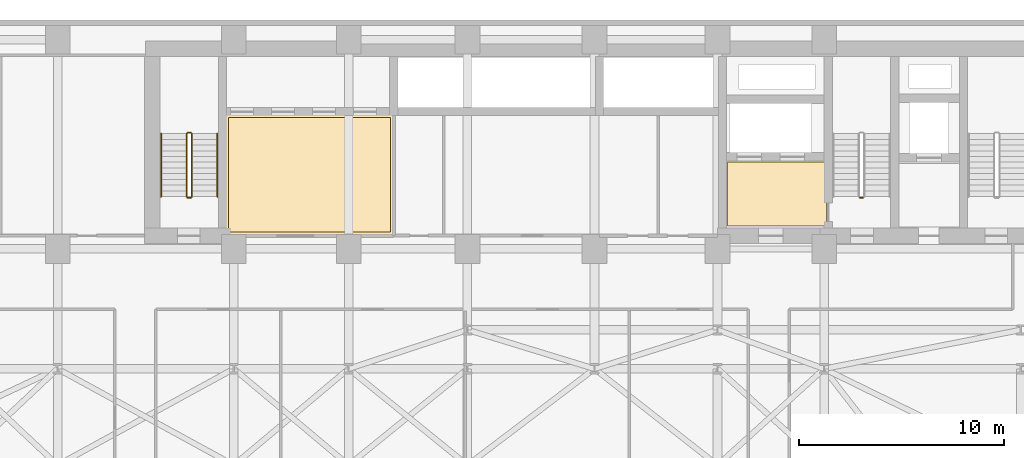
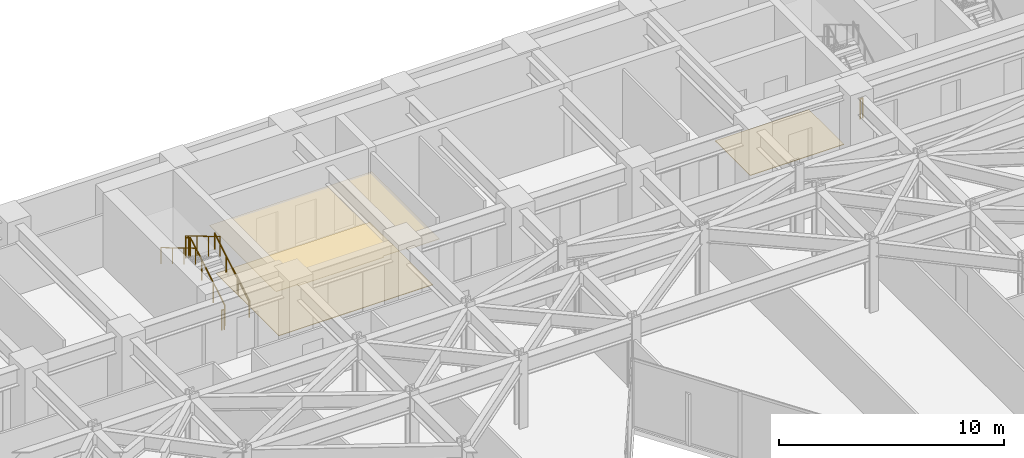
# One storey, part 24 of 25: 7 railings, 3 coverings.
"""IFC4 building model written with IfcOpenShell, lengths in metres."""

from ifc_helpers import new_model, si_unit, direction, frame, origin, origin_2d, place, context, subcontext, project, spatial, polyline, circle, outline, extrude, material, layer, layer_set, type_object, element, save


model = new_model("IFC4")

# Units and contexts
model_context = context("Model", 3, precision=1e-05, world=origin(), true_north=direction((0.0, 1.0)))
body_context = subcontext(model_context, "Body", "Model", "MODEL_VIEW")
ifc_project = project(units=[si_unit("LENGTHUNIT", "METRE"), si_unit("AREAUNIT", "SQUARE_METRE"), si_unit("VOLUMEUNIT", "CUBIC_METRE"), si_unit("PLANEANGLEUNIT", "RADIAN"), si_unit("MASSUNIT", "GRAM", prefix="KILO")], contexts=[model_context])

# Site, building, storey
site_placement = place(None, origin())
site = spatial("IfcSite", under=ifc_project, at=site_placement, CompositionType="ELEMENT")
building_placement = place(site_placement, origin())
building = spatial("IfcBuilding", under=site, at=building_placement, Name="Kravanh Interchange Tower", CompositionType="ELEMENT")
storey_placement = place(building_placement, frame((0.0, 0.0, 73.5)))
storey = spatial("IfcBuildingStorey", under=building, at=storey_placement, Name="L17", CompositionType="ELEMENT", Elevation=73.5)

# Coverings
ifc_material_1 = material(Name="Cementitious Terrazzo Tile")
ifc_layer_1 = layer(ifc_material_1, 0.030029296875)
ifc_layer_set_1 = layer_set([ifc_layer_1], Name="Honed Terrazzo Lobby Flooring 30mm")
covering_type_1 = type_object("IfcCoveringType", Name="Honed Terrazzo Lobby Flooring 30mm", PredefinedType="FLOORING", material=ifc_layer_set_1)
covering_1_placement = place(storey_placement, origin())
element("IfcCovering", 1, at=covering_1_placement, inside=storey, type_object=covering_type_1, Name="L17 Firefighting Lobby Floor Finish", PredefinedType="FLOORING", context=body_context, shape_type="SweptSolid", body=[
    extrude(outline(polyline([(56.1201171875, 38.4599609375), (51.300048828125, 38.4599609375), (51.300048828125, 41.580078125), (56.1201171875, 41.580078125), (56.1201171875, 38.4599609375)])), origin(), (0.0, 0.0, 1.0), 0.030029296875),
])
covering_2_placement = place(storey_placement, origin())
element("IfcCovering", 2, at=covering_2_placement, inside=storey, type_object=covering_type_1, Name="L17 Low-Rise Lift Lobby Floor Finish", PredefinedType="FLOORING", context=body_context, shape_type="SweptSolid", body=[
    extrude(outline(polyline([(26.929931640625, 43.77001953125), (34.840087890625, 43.77001953125), (34.840087890625, 38.179931640625), (26.929931640625, 38.179931640625), (26.929931640625, 43.77001953125)])), origin(), (0.0, 0.0, 1.0), 0.030029296875),
])
ifc_material_2 = material(Name="Acoustic Mineral Fibre Tile on Aluminium Grid", Category="aluminium")
ifc_layer_2 = layer(ifc_material_2, 0.02490234375)
ifc_layer_set_2 = layer_set([ifc_layer_2], Name="Perforated Acoustic Mineral Ceiling 25mm")
covering_type_2 = type_object("IfcCoveringType", Name="Perforated Acoustic Mineral Ceiling 25mm", PredefinedType="CEILING", material=ifc_layer_set_2)
covering_3_placement = place(storey_placement, frame((0.0, 0.0, 2.550048828125)))
element("IfcCovering", 3, at=covering_3_placement, inside=storey, type_object=covering_type_2, Name="L17 Low-Rise Lift Lobby Suspended Ceiling", PredefinedType="CEILING", context=body_context, shape_type="SweptSolid", body=[
    extrude(outline(polyline([(35.06005859375, 37.9599609375), (33.39990234375, 37.9599609375), (33.39990234375, 38.050048828125), (32.199951171875, 38.050048828125), (32.199951171875, 37.9599609375), (27.800048828125, 37.9599609375), (27.800048828125, 38.050048828125), (26.7099609375, 38.050048828125), (26.7099609375, 43.989990234375), (35.06005859375, 43.989990234375), (35.06005859375, 37.9599609375)])), origin(), (0.0, 0.0, 1.0), 0.02490234375),
])

# Railings
ifc_material_3 = material(Name="Structural Steel S355", Category="steel")
ifc_layer_3 = layer(ifc_material_3, 0.050048828125)
ifc_layer_set_3 = layer_set([ifc_layer_3], Name="Stair Well Guardrail Structural Steel S355 1100mm")
railing_type_1 = type_object("IfcRailingType", Name="Stair Well Guardrail Structural Steel S355 1100mm", PredefinedType="GUARDRAIL", material=ifc_layer_set_3)
railing_1_placement = place(storey_placement, frame((57.89990234375, 39.85009765625, 0.0)))
element("IfcRailing", 4, at=railing_1_placement, inside=storey, type_object=railing_type_1, Name="L17 ST2 stair guard 4", PredefinedType="GUARDRAIL", context=body_context, shape_type="SweptSolid", body=[
    extrude(circle(Radius=0.02392578125, at=origin_2d()), frame((0.0, 0.0, 1.076171875), z_axis=(-1.0, 0.0, 0.0), x_axis=(0.0, -1.0, 0.0)), (0.0, 0.0, 1.0), 0.14990234375),
    extrude(circle(Radius=0.02099609375, at=origin_2d()), origin(), (0.0, 0.0, 1.0), 1.052001953125),
    extrude(circle(Radius=0.02099609375, at=origin_2d()), frame((-0.14990234375, 0.0, 0.0)), (0.0, 0.0, 1.0), 1.052001953125),
])
railing_2_placement = place(storey_placement, frame((25.14990234375, 39.89990234375, 0.166748046875)))
element("IfcRailing", 5, at=railing_2_placement, inside=storey, type_object=railing_type_1, Name="L17 ST3 stair guard 1", PredefinedType="GUARDRAIL", context=body_context, shape_type="SweptSolid", body=[
    extrude(circle(Radius=0.02392578125, at=origin_2d()), frame((0.0, 0.0, 1.076171875), z_axis=(0.0, 0.859308565015, 0.511457515432), x_axis=(-1.0, 0.0, 0.0)), (0.0, 0.0, 1.0), 3.58447265625),
    extrude(circle(Radius=0.02099609375, at=origin_2d()), origin(), (0.0, 0.0, 1.0), 1.052001953125),
    extrude(circle(Radius=0.02099609375, at=origin_2d()), frame((0.0, 1.026611328125, 0.611083984375)), (0.0, 0.0, 1.0), 1.052001953125),
    extrude(circle(Radius=0.02099609375, at=origin_2d()), frame((0.0, 2.053466796875, 1.22216796875)), (0.0, 0.0, 1.0), 1.052001953125),
    extrude(circle(Radius=0.02099609375, at=origin_2d()), frame((0.0, 3.080078125, 1.833251953125)), (0.0, 0.0, 1.0), 1.052001953125),
])
railing_3_placement = place(storey_placement, frame((25.10009765625, 43.030029296875, 2.0)))
element("IfcRailing", 6, at=railing_3_placement, inside=storey, type_object=railing_type_1, Name="L17 ST3 stair guard 2", PredefinedType="GUARDRAIL", context=body_context, shape_type="SweptSolid", body=[
    extrude(circle(Radius=0.02392578125, at=origin_2d()), frame((0.0, 0.0, 1.076171875), z_axis=(-1.0, 0.0, 0.0), x_axis=(0.0, -1.0, 0.0)), (0.0, 0.0, 1.0), 0.150146484375),
    extrude(circle(Radius=0.02099609375, at=origin_2d()), origin(), (0.0, 0.0, 1.0), 1.052001953125),
    extrude(circle(Radius=0.02099609375, at=origin_2d()), frame((-0.150146484375, 0.0, 0.0)), (0.0, 0.0, 1.0), 1.052001953125),
])
railing_4_placement = place(storey_placement, frame((24.89990234375, 42.97998046875, 2.166748046875)))
element("IfcRailing", 7, at=railing_4_placement, inside=storey, type_object=railing_type_1, Name="L17 ST3 stair guard 3", PredefinedType="GUARDRAIL", context=body_context, shape_type="SweptSolid", body=[
    extrude(circle(Radius=0.02392578125, at=origin_2d()), frame((0.0, 0.0, 1.076171875), z_axis=(0.0, -0.859308565015, 0.511457515432), x_axis=(1.0, 0.0, 0.0)), (0.0, 0.0, 1.0), 3.58447265625),
    extrude(circle(Radius=0.02099609375, at=origin_2d()), origin(), (0.0, 0.0, 1.0), 1.052001953125),
    extrude(circle(Radius=0.02099609375, at=origin_2d()), frame((0.0, -1.026611328125, 0.611083984375)), (0.0, 0.0, 1.0), 1.052001953125),
    extrude(circle(Radius=0.02099609375, at=origin_2d()), frame((0.0, -2.053466796875, 1.22216796875)), (0.0, 0.0, 1.0), 1.052001953125),
    extrude(circle(Radius=0.02099609375, at=origin_2d()), frame((0.0, -3.080078125, 1.833251953125)), (0.0, 0.0, 1.0), 1.052001953125),
])
railing_5_placement = place(storey_placement, frame((25.10009765625, 39.85009765625, 0.0)))
element("IfcRailing", 8, at=railing_5_placement, inside=storey, type_object=railing_type_1, Name="L17 ST3 stair guard 4", PredefinedType="GUARDRAIL", context=body_context, shape_type="SweptSolid", body=[
    extrude(circle(Radius=0.02392578125, at=origin_2d()), frame((0.0, 0.0, 1.076171875), z_axis=(-1.0, 0.0, 0.0), x_axis=(0.0, -1.0, 0.0)), (0.0, 0.0, 1.0), 0.150146484375),
    extrude(circle(Radius=0.02099609375, at=origin_2d()), origin(), (0.0, 0.0, 1.0), 1.052001953125),
    extrude(circle(Radius=0.02099609375, at=origin_2d()), frame((-0.150146484375, 0.0, 0.0)), (0.0, 0.0, 1.0), 1.052001953125),
])
ifc_material_4 = material(Name="Stainless Steel 304", Category="steel")
ifc_layer_4 = layer(ifc_material_4, 0.044921875)
ifc_layer_set_4 = layer_set([ifc_layer_4], Name="Tubular Stair Handrail Stainless 304 900mm")
railing_type_2 = type_object("IfcRailingType", Name="Tubular Stair Handrail Stainless 304 900mm", PredefinedType="HANDRAIL", material=ifc_layer_set_4)
railing_6_placement = place(storey_placement, frame((26.39990234375, 39.89990234375, 0.166748046875)))
element("IfcRailing", 9, at=railing_6_placement, inside=storey, type_object=railing_type_2, Name="L17 ST3 stair handrail 1", PredefinedType="HANDRAIL", context=body_context, shape_type="SweptSolid", body=[
    extrude(circle(Radius=0.02392578125, at=origin_2d()), frame((0.0, 0.0, 0.8759765625), z_axis=(0.0, 0.859308565015, 0.511457515432), x_axis=(-1.0, 0.0, 0.0)), (0.0, 0.0, 1.0), 3.58447265625),
    extrude(circle(Radius=0.02099609375, at=origin_2d()), origin(), (0.0, 0.0, 1.0), 0.851806640625),
    extrude(circle(Radius=0.02099609375, at=origin_2d()), frame((0.0, 1.026611328125, 0.611083984375)), (0.0, 0.0, 1.0), 0.851806640625),
    extrude(circle(Radius=0.02099609375, at=origin_2d()), frame((0.0, 2.053466796875, 1.22216796875)), (0.0, 0.0, 1.0), 0.851806640625),
    extrude(circle(Radius=0.02099609375, at=origin_2d()), frame((0.0, 3.080078125, 1.833251953125)), (0.0, 0.0, 1.0), 0.851806640625),
])
railing_7_placement = place(storey_placement, frame((23.64990234375, 42.97998046875, 2.166748046875)))
element("IfcRailing", 10, at=railing_7_placement, inside=storey, type_object=railing_type_2, Name="L17 ST3 stair handrail 2", PredefinedType="HANDRAIL", context=body_context, shape_type="SweptSolid", body=[
    extrude(circle(Radius=0.02392578125, at=origin_2d()), frame((0.0, 0.0, 0.8759765625), z_axis=(0.0, -0.859308565015, 0.511457515432), x_axis=(1.0, 0.0, 0.0)), (0.0, 0.0, 1.0), 3.58447265625),
    extrude(circle(Radius=0.02099609375, at=origin_2d()), origin(), (0.0, 0.0, 1.0), 0.851806640625),
    extrude(circle(Radius=0.02099609375, at=origin_2d()), frame((0.0, -1.026611328125, 0.611083984375)), (0.0, 0.0, 1.0), 0.851806640625),
    extrude(circle(Radius=0.02099609375, at=origin_2d()), frame((0.0, -2.053466796875, 1.22216796875)), (0.0, 0.0, 1.0), 0.851806640625),
    extrude(circle(Radius=0.02099609375, at=origin_2d()), frame((0.0, -3.080078125, 1.833251953125)), (0.0, 0.0, 1.0), 0.851806640625),
])

save(model, "model.ifc")
